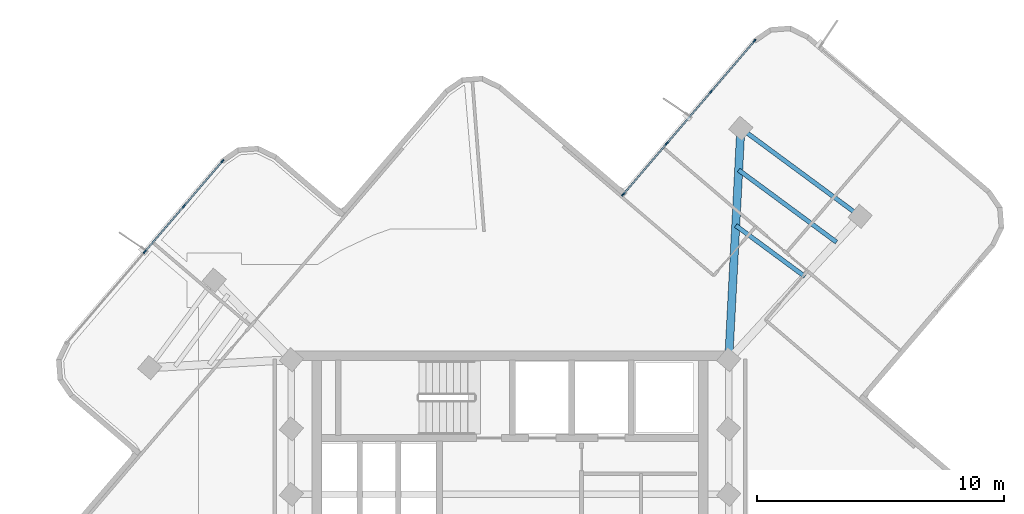
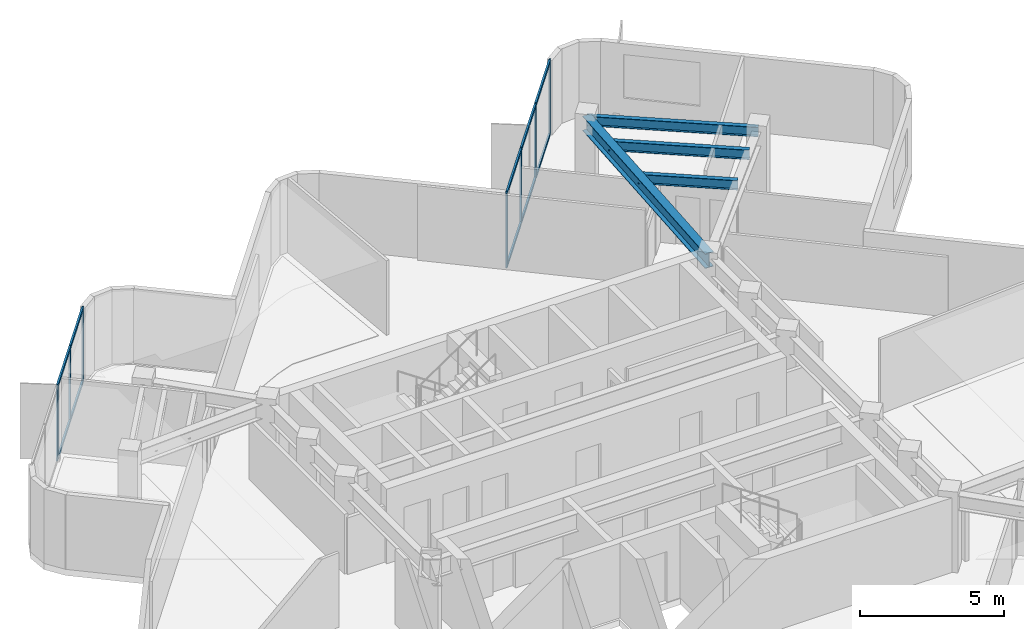
# One storey, part 4 of 10: 17 members, 4 beams, 2 elements without a shape of their own.
"""IFC4 building model written with IfcOpenShell, lengths in metres."""

from ifc_helpers import new_model, si_unit, direction, frame, origin, origin_2d, place, context, subcontext, project, spatial, rectangle, i_section, extrude, material, layer, layer_set, material_profile, profile_set, type_object, element, aggregate, save


model = new_model("IFC4")

# Units and contexts
model_context = context("Model", 3, precision=1e-05, world=origin(), true_north=direction((0.0, 1.0)))
body_context = subcontext(model_context, "Body", "Model", "MODEL_VIEW")
ifc_project = project(units=[si_unit("LENGTHUNIT", "METRE"), si_unit("AREAUNIT", "SQUARE_METRE"), si_unit("VOLUMEUNIT", "CUBIC_METRE"), si_unit("PLANEANGLEUNIT", "RADIAN"), si_unit("MASSUNIT", "GRAM", prefix="KILO")], contexts=[model_context])

# Site, building, storey
site_placement = place(None, origin())
site = spatial("IfcSite", under=ifc_project, at=site_placement, CompositionType="ELEMENT")
building_placement = place(site_placement, origin())
building = spatial("IfcBuilding", under=site, at=building_placement, Name="Solmarez Civic Tower", CompositionType="ELEMENT")
storey_placement = place(building_placement, frame((0.0, 0.0, 254.340087890625)))
storey = spatial("IfcBuildingStorey", under=building, at=storey_placement, Name="L68", CompositionType="ELEMENT", Elevation=254.340087890625)

# Beams
ifc_material_1 = material(Name="Steel S355", Category="steel")
ifc_material_profile_1 = material_profile(ifc_material_1, i_section(OverallWidth=0.178955078125, OverallDepth=0.409912109375, WebThickness=0.0087890625, FlangeThickness=0.014404296875, at=origin_2d()), Name="W16X45")
ifc_profile_set_1 = profile_set([ifc_material_profile_1], Name="Steel S355")
beam_type_1 = type_object("IfcBeamType", Name="BM-JS-W16X45", PredefinedType="JOIST", material=ifc_profile_set_1)
beam_1_placement = place(storey_placement, frame((14.1689453125, 14.152099609375, 2.954833984375), z_axis=(-0.804687480311, 0.593698626434, 0.0), x_axis=(-0.593698626434, -0.804687480311, 0.0)))
element("IfcBeam", 1, at=beam_1_placement, inside=storey, type_object=beam_type_1, Name="L68 Secondary Floor Joist BM-L68-EA-T1", PredefinedType="JOIST", context=body_context, shape_type="SweptSolid", body=[
    extrude(i_section(OverallWidth=0.178955078125, OverallDepth=0.409912109375, WebThickness=0.0087890625, FlangeThickness=0.014404296875, at=origin_2d()), origin(), (0.0, 0.0, 1.0), 5.999755859375),
])
beam_2_placement = place(storey_placement, frame((11.93505859375, 11.715087890625, 2.954833984375), z_axis=(-0.8046818189, 0.593706299724, 0.0), x_axis=(-0.593706299724, -0.8046818189, 0.0)))
element("IfcBeam", 2, at=beam_2_placement, inside=storey, type_object=beam_type_1, Name="L68 Secondary Floor Joist JS-L68-EA-M11", PredefinedType="JOIST", context=body_context, shape_type="SweptSolid", body=[
    extrude(i_section(OverallWidth=0.178955078125, OverallDepth=0.409912109375, WebThickness=0.0087890625, FlangeThickness=0.014404296875, at=origin_2d()), origin(), (0.0, 0.0, 1.0), 3.479736328125),
])
beam_3_placement = place(storey_placement, frame((13.2119140625, 13.10791015625, 2.954833984375), z_axis=(-0.804762606031, 0.593596789019, 0.0), x_axis=(-0.593596789019, -0.804762606031, 0.0)))
element("IfcBeam", 3, at=beam_3_placement, inside=storey, type_object=beam_type_1, Name="L68 Secondary Floor Joist JS-L68-EA-M12", PredefinedType="JOIST", context=body_context, shape_type="SweptSolid", body=[
    extrude(i_section(OverallWidth=0.178955078125, OverallDepth=0.409912109375, WebThickness=0.0087890625, FlangeThickness=0.014404296875, at=origin_2d()), origin(), (0.0, 0.0, 1.0), 4.91943359375),
])
ifc_material_profile_2 = material_profile(ifc_material_1, i_section(OverallWidth=0.327880859375, OverallDepth=0.6220703125, WebThickness=0.015380859375, FlangeThickness=0.0244140625, at=origin_2d()), Name="W24X131")
ifc_profile_set_2 = profile_set([ifc_material_profile_2], Name="Steel S355")
beam_type_2 = type_object("IfcBeamType", Name="BM-PR-W24X131", PredefinedType="BEAM", material=ifc_profile_set_2)
beam_4_placement = place(storey_placement, frame((8.85009765625, 8.35009765625, 2.848876953125), z_axis=(0.052359315135, 0.998628310293, 0.0), x_axis=(-0.998628310293, 0.052359315135, 0.0)))
element("IfcBeam", 4, at=beam_4_placement, inside=storey, type_object=beam_type_2, Name="L68 Primary Floor Beam BM-L68-EA-R1B", PredefinedType="BEAM", context=body_context, shape_type="SweptSolid", body=[
    extrude(i_section(OverallWidth=0.327880859375, OverallDepth=0.6220703125, WebThickness=0.015380859375, FlangeThickness=0.0244140625, at=origin_2d()), origin(), (0.0, 0.0, 1.0), 9.376953125),
])

# Curtain wall, members
ifc_material_2 = material(Name="Bronze Anodised Aluminium EN AW-6063 T6", Category="aluminium")
ifc_layer = layer(ifc_material_2, 0.1650390625)
ifc_layer_set = layer_set([ifc_layer], Name="Bronze Anodised Aluminium EN AW-6063 T6")
curtain_wall_type = type_object("IfcCurtainWallType", Name="CW-SYS-4", PredefinedType="NOTDEFINED", material=ifc_layer_set)
curtain_wall_1_placement = place(storey_placement, origin())
curtain_wall_1 = element("IfcCurtainWall", 5, at=curtain_wall_1_placement, inside=storey, type_object=curtain_wall_type, Name="L68 Stick-Built Curtain Wall 1", PredefinedType="NOTDEFINED")
ifc_material_profile_3 = material_profile(ifc_material_2, rectangle(XDim=0.06005859375, YDim=0.14990234375, at=origin_2d()), Name="CWM-60X150")
ifc_profile_set_3 = profile_set([ifc_material_profile_3], Name="Bronze Anodised Aluminium EN AW-6063 T6")
member_type_1 = type_object("IfcMemberType", Name="CWM-TYPE-4", PredefinedType="MULLION", material=ifc_profile_set_3)
member_1_placement = place(storey_placement, frame((-14.781982421875, 12.717529296875, 0.0), z_axis=(0.0, 0.0, 1.0), x_axis=(-0.75975006203, 0.650215228402, 0.0)))
member_1 = element("IfcMember", 6, at=member_1_placement, type_object=member_type_1, Name="CWS4 mullion 3", PredefinedType="MULLION", context=body_context, shape_type="SweptSolid", body=[
    extrude(rectangle(XDim=0.06005859375, YDim=0.14990234375, at=origin_2d()), origin(), (0.0, 0.0, 1.0), 3.159912109375),
])
member_2_placement = place(storey_placement, frame((-13.201416015625, 14.564208984375, 0.0), z_axis=(0.0, 0.0, 1.0), x_axis=(-0.75975006203, 0.650215228402, 0.0)))
member_2 = element("IfcMember", 7, at=member_2_placement, type_object=member_type_1, Name="CWS4 mullion 4", PredefinedType="MULLION", context=body_context, shape_type="SweptSolid", body=[
    extrude(rectangle(XDim=0.06005859375, YDim=0.14990234375, at=origin_2d()), origin(), (0.0, 0.0, 1.0), 3.159912109375),
])
member_3_placement = place(storey_placement, frame((-11.640625, 16.38818359375, 0.0), z_axis=(0.0, 0.0, 1.0), x_axis=(-0.75975006203, 0.650215228402, 0.0)))
member_3 = element("IfcMember", 8, at=member_3_placement, type_object=member_type_1, Name="CWS4 mullion 5", PredefinedType="MULLION", context=body_context, shape_type="SweptSolid", body=[
    extrude(rectangle(XDim=0.06005859375, YDim=0.14990234375, at=origin_2d()), origin(), (0.0, 0.0, 1.0), 3.159912109375),
])

curtain_wall_2_placement = place(storey_placement, origin())
curtain_wall_2 = element("IfcCurtainWall", 9, at=curtain_wall_2_placement, inside=storey, type_object=curtain_wall_type, Name="L68 Stick-Built Curtain Wall 2", PredefinedType="NOTDEFINED")
member_4_placement = place(storey_placement, frame((4.577392578125, 15.036865234375, 0.0), z_axis=(0.0, 0.0, 1.0), x_axis=(-0.759710372378, 0.650261601282, 0.0)))
member_4 = element("IfcMember", 10, at=member_4_placement, type_object=member_type_1, Name="CWS4 mullion 1", PredefinedType="MULLION", context=body_context, shape_type="SweptSolid", body=[
    extrude(rectangle(XDim=0.06005859375, YDim=0.14990234375, at=origin_2d()), origin(), (0.0, 0.0, 1.0), 3.159912109375),
])
member_5_placement = place(storey_placement, frame((6.34423828125, 17.10107421875, 0.0), z_axis=(0.0, 0.0, 1.0), x_axis=(-0.759710372378, 0.650261601282, 0.0)))
member_5 = element("IfcMember", 11, at=member_5_placement, type_object=member_type_1, Name="CWS4 mullion 2", PredefinedType="MULLION", context=body_context, shape_type="SweptSolid", body=[
    extrude(rectangle(XDim=0.06005859375, YDim=0.14990234375, at=origin_2d()), origin(), (0.0, 0.0, 1.0), 3.159912109375),
])
member_6_placement = place(storey_placement, frame((8.130615234375, 19.18798828125, 0.0), z_axis=(0.0, 0.0, 1.0), x_axis=(-0.759710372378, 0.650261601282, 0.0)))
member_6 = element("IfcMember", 12, at=member_6_placement, type_object=member_type_1, Name="CWS4 mullion 3", PredefinedType="MULLION", context=body_context, shape_type="SweptSolid", body=[
    extrude(rectangle(XDim=0.06005859375, YDim=0.14990234375, at=origin_2d()), origin(), (0.0, 0.0, 1.0), 3.159912109375),
])
member_7_placement = place(storey_placement, frame((9.8974609375, 21.252197265625, 0.0), z_axis=(0.0, 0.0, 1.0), x_axis=(-0.759710372378, 0.650261601282, 0.0)))
member_7 = element("IfcMember", 13, at=member_7_placement, type_object=member_type_1, Name="CWS4 mullion 4", PredefinedType="MULLION", context=body_context, shape_type="SweptSolid", body=[
    extrude(rectangle(XDim=0.06005859375, YDim=0.14990234375, at=origin_2d()), origin(), (0.0, 0.0, 1.0), 3.159912109375),
])

# Member
ifc_material_profile_4 = material_profile(ifc_material_2, rectangle(XDim=0.070068359375, YDim=0.139892578125, at=origin_2d()), Name="CWT-70X140")
ifc_profile_set_4 = profile_set([ifc_material_profile_4], Name="Bronze Anodised Aluminium EN AW-6063 T6")
member_type_2 = type_object("IfcMemberType", Name="CWT-TYPE-1", PredefinedType="USERDEFINED", material=ifc_profile_set_4)
member_8_placement = place(storey_placement, frame((-14.762451171875, 12.740234375, 0.034912109375), z_axis=(0.650197541725, 0.759765198423, 0.0), x_axis=(-0.759765198423, 0.650197541725, 0.0)))
member_8 = element("IfcMember", 14, at=member_8_placement, type_object=member_type_2, Name="CWS4 transom 3.1", ObjectType="TRANSOM", PredefinedType="USERDEFINED", context=body_context, shape_type="SweptSolid", body=[
    extrude(rectangle(XDim=0.070068359375, YDim=0.139892578125, at=origin_2d()), origin(), (0.0, 0.0, 1.0), 2.370849609375),
])

member_9_placement = place(storey_placement, frame((-14.762451171875, 12.740234375, 3.125), z_axis=(0.650197541725, 0.759765198423, 0.0), x_axis=(-0.759765198423, 0.650197541725, 0.0)))
member_9 = element("IfcMember", 15, at=member_9_placement, type_object=member_type_2, Name="CWS4 transom 3.2", ObjectType="TRANSOM", PredefinedType="USERDEFINED", context=body_context, shape_type="SweptSolid", body=[
    extrude(rectangle(XDim=0.070068359375, YDim=0.139892578125, at=origin_2d()), origin(), (0.0, 0.0, 1.0), 2.370849609375),
])

member_10_placement = place(storey_placement, frame((-13.181884765625, 14.587158203125, 0.034912109375), z_axis=(0.650224275105, 0.759742319516, 0.0), x_axis=(-0.759742319516, 0.650224275105, 0.0)))
member_10 = element("IfcMember", 16, at=member_10_placement, type_object=member_type_2, Name="CWS4 transom 4.1", ObjectType="TRANSOM", PredefinedType="USERDEFINED", context=body_context, shape_type="SweptSolid", body=[
    extrude(rectangle(XDim=0.070068359375, YDim=0.139892578125, at=origin_2d()), origin(), (0.0, 0.0, 1.0), 2.340576171875),
])

member_11_placement = place(storey_placement, frame((-13.181884765625, 14.587158203125, 3.125), z_axis=(0.650224275105, 0.759742319516, 0.0), x_axis=(-0.759742319516, 0.650224275105, 0.0)))
member_11 = element("IfcMember", 17, at=member_11_placement, type_object=member_type_2, Name="CWS4 transom 4.2", ObjectType="TRANSOM", PredefinedType="USERDEFINED", context=body_context, shape_type="SweptSolid", body=[
    extrude(rectangle(XDim=0.070068359375, YDim=0.139892578125, at=origin_2d()), origin(), (0.0, 0.0, 1.0), 2.340576171875),
])

aggregate(curtain_wall_1, [member_1, member_2, member_3, member_8, member_9, member_10, member_11])

member_12_placement = place(storey_placement, frame((4.596923828125, 15.0595703125, 0.034912109375), z_axis=(0.650269097418, 0.759703956119, 0.0), x_axis=(-0.759703956119, 0.650269097418, 0.0)))
member_12 = element("IfcMember", 18, at=member_12_placement, type_object=member_type_2, Name="CWS4 transom 1.1", ObjectType="TRANSOM", PredefinedType="USERDEFINED", context=body_context, shape_type="SweptSolid", body=[
    extrude(rectangle(XDim=0.070068359375, YDim=0.139892578125, at=origin_2d()), origin(), (0.0, 0.0, 1.0), 2.656982421875),
])

member_13_placement = place(storey_placement, frame((4.596923828125, 15.0595703125, 3.125), z_axis=(0.650269097418, 0.759703956119, 0.0), x_axis=(-0.759703956119, 0.650269097418, 0.0)))
member_13 = element("IfcMember", 19, at=member_13_placement, type_object=member_type_2, Name="CWS4 transom 1.2", ObjectType="TRANSOM", PredefinedType="USERDEFINED", context=body_context, shape_type="SweptSolid", body=[
    extrude(rectangle(XDim=0.070068359375, YDim=0.139892578125, at=origin_2d()), origin(), (0.0, 0.0, 1.0), 2.656982421875),
])

member_14_placement = place(storey_placement, frame((6.36376953125, 17.123779296875, 0.034912109375), z_axis=(0.650245009727, 0.759724573332, 0.0), x_axis=(-0.759724573332, 0.650245009727, 0.0)))
member_14 = element("IfcMember", 20, at=member_14_placement, type_object=member_type_2, Name="CWS4 transom 2.1", ObjectType="TRANSOM", PredefinedType="USERDEFINED", context=body_context, shape_type="SweptSolid", body=[
    extrude(rectangle(XDim=0.070068359375, YDim=0.139892578125, at=origin_2d()), origin(), (0.0, 0.0, 1.0), 2.687255859375),
])

member_15_placement = place(storey_placement, frame((6.36376953125, 17.123779296875, 3.125), z_axis=(0.650245009727, 0.759724573332, 0.0), x_axis=(-0.759724573332, 0.650245009727, 0.0)))
member_15 = element("IfcMember", 21, at=member_15_placement, type_object=member_type_2, Name="CWS4 transom 2.2", ObjectType="TRANSOM", PredefinedType="USERDEFINED", context=body_context, shape_type="SweptSolid", body=[
    extrude(rectangle(XDim=0.070068359375, YDim=0.139892578125, at=origin_2d()), origin(), (0.0, 0.0, 1.0), 2.687255859375),
])

member_16_placement = place(storey_placement, frame((8.150146484375, 19.210693359375, 0.034912109375), z_axis=(0.650223707206, 0.759742805551, 0.0), x_axis=(-0.759742805551, 0.650223707206, 0.0)))
member_16 = element("IfcMember", 22, at=member_16_placement, type_object=member_type_2, Name="CWS4 transom 3.1", ObjectType="TRANSOM", PredefinedType="USERDEFINED", context=body_context, shape_type="SweptSolid", body=[
    extrude(rectangle(XDim=0.070068359375, YDim=0.139892578125, at=origin_2d()), origin(), (0.0, 0.0, 1.0), 2.6572265625),
])

member_17_placement = place(storey_placement, frame((8.150146484375, 19.210693359375, 3.125), z_axis=(0.650223707206, 0.759742805551, 0.0), x_axis=(-0.759742805551, 0.650223707206, 0.0)))
member_17 = element("IfcMember", 23, at=member_17_placement, type_object=member_type_2, Name="CWS4 transom 3.2", ObjectType="TRANSOM", PredefinedType="USERDEFINED", context=body_context, shape_type="SweptSolid", body=[
    extrude(rectangle(XDim=0.070068359375, YDim=0.139892578125, at=origin_2d()), origin(), (0.0, 0.0, 1.0), 2.6572265625),
])

aggregate(curtain_wall_2, [member_4, member_5, member_6, member_7, member_12, member_13, member_14, member_15, member_16, member_17])

save(model, "model.ifc")
